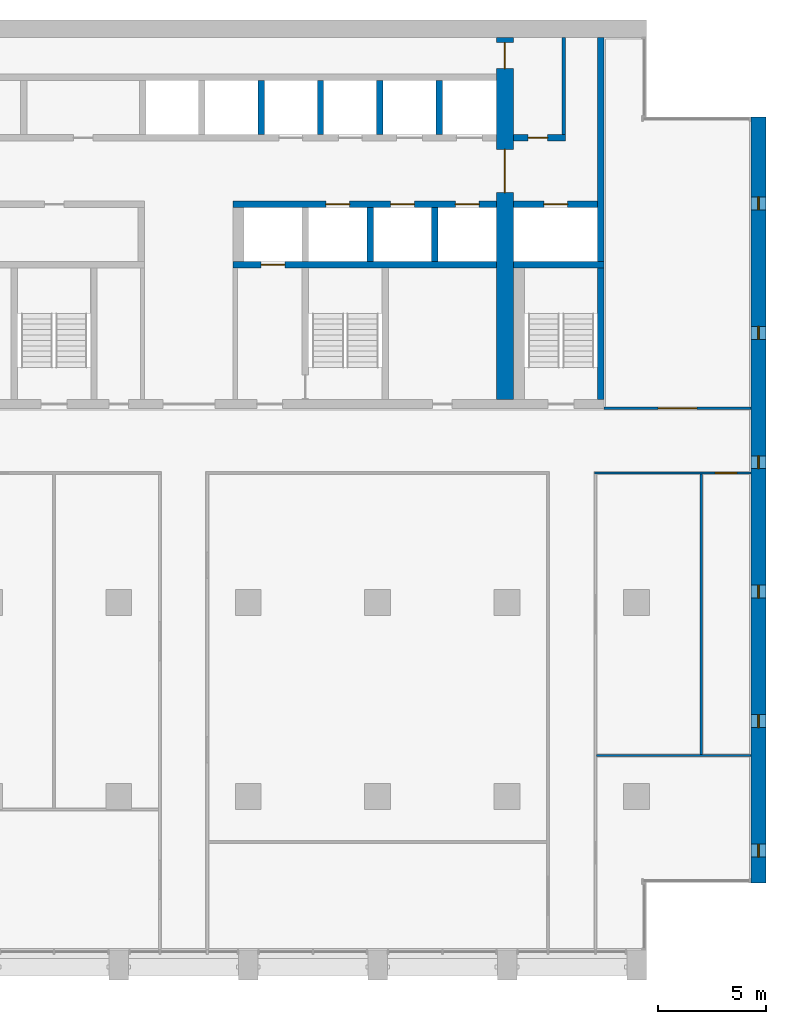
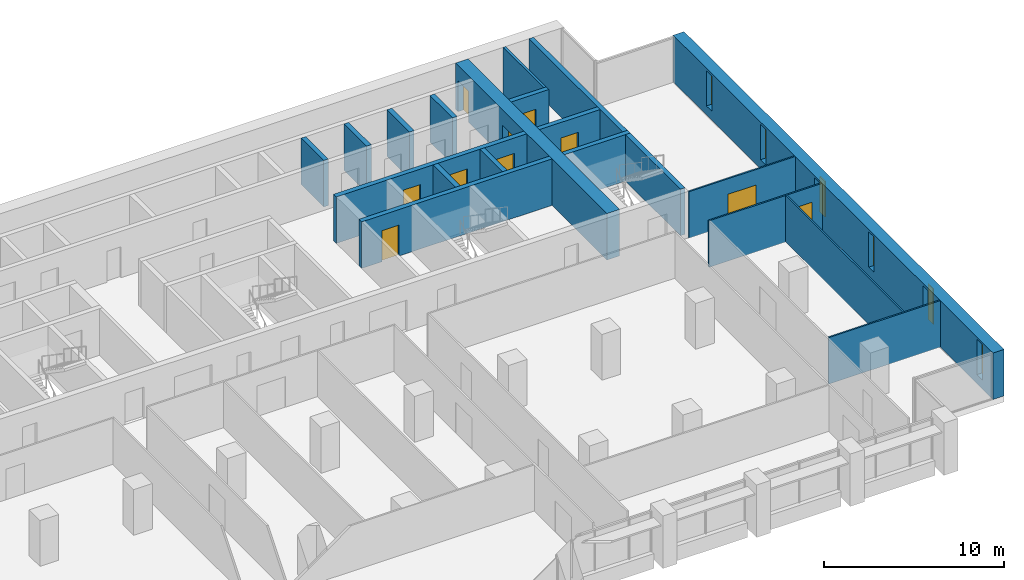
# One storey, part 11 of 15: 20 walls, 10 doors, 6 windows, 16 openings.
"""IFC4 building model written with IfcOpenShell, lengths in metres."""

from ifc_helpers import new_model, si_unit, direction, frame, frame_2d, origin, place, context, subcontext, project, spatial, rectangle, extrude, material, layer, layer_set, type_object, element, fill, save


model = new_model("IFC4")

# Units and contexts
model_context = context("Model", 3, precision=1e-05, world=origin(), true_north=direction((0.0, 1.0)))
body_context = subcontext(model_context, "Body", "Model", "MODEL_VIEW")
ifc_project = project(units=[si_unit("LENGTHUNIT", "METRE"), si_unit("AREAUNIT", "SQUARE_METRE"), si_unit("VOLUMEUNIT", "CUBIC_METRE"), si_unit("PLANEANGLEUNIT", "RADIAN"), si_unit("MASSUNIT", "GRAM", prefix="KILO")], contexts=[model_context])

# Site, building, storey
site_placement = place(None, origin())
site = spatial("IfcSite", under=ifc_project, at=site_placement, CompositionType="ELEMENT")
building_placement = place(site_placement, origin())
building = spatial("IfcBuilding", under=site, at=building_placement, Name="Calvaro Tower", CompositionType="ELEMENT")
storey_placement = place(building_placement, frame((0.0, 0.0, 155.0)))
storey = spatial("IfcBuildingStorey", under=building, at=storey_placement, Name="L39", CompositionType="ELEMENT", Elevation=155.0)

# Wall
ifc_material_1 = material(Name="Blockwork partition", Category="masonry")
ifc_layer_1 = layer(ifc_material_1, 0.14990234375)
ifc_layer_set_1 = layer_set([ifc_layer_1], Name="Blockwork partition")
wall_type_1 = type_object("IfcWallType", Name="Core partition 150 REI 120", PredefinedType="PARTITIONING", material=ifc_layer_set_1)
wall_1_placement = place(storey_placement, frame((62.625, 40.699951171875, 0.0), z_axis=(0.0, 0.0, 1.0), x_axis=(0.0, 1.0, 0.0)))
element("IfcWall", 1, at=wall_1_placement, inside=storey, type_object=wall_type_1, Name="Core partition", PredefinedType="PARTITIONING", context=body_context, shape_type="SweptSolid", body=[
    extrude(rectangle(XDim=4.5, YDim=0.14990234375, at=frame_2d((2.25, 0.0))), origin(), (0.0, 0.0, 1.0), 3.14990234375),
])

# Wall, opening, door
ifc_material_2 = material(Name="Blockwork partition", Category="masonry")
ifc_layer_2 = layer(ifc_material_2, 0.300048828125)
ifc_layer_set_2 = layer_set([ifc_layer_2], Name="Blockwork partition")
wall_type_2 = type_object("IfcWallType", Name="Core partition 300 REI 120", PredefinedType="PARTITIONING", material=ifc_layer_set_2)
wall_2_placement = place(storey_placement, frame((60.300048828125, 40.550048828125, 0.0), z_axis=(0.0, 0.0, 1.0), x_axis=(1.0, 0.0, 0.0)))
wall_2 = element("IfcWall", 2, at=wall_2_placement, inside=storey, type_object=wall_type_2, Name="Core partition", PredefinedType="PARTITIONING", context=body_context, shape_type="SweptSolid", body=[
    extrude(rectangle(XDim=2.39990234375, YDim=0.300048828125, at=frame_2d((1.199951171875, 0.0))), origin(), (0.0, 0.0, 1.0), 3.14990234375),
])
opening_1_placement = place(wall_2_placement, frame((0.675048828125, 0.0, 0.0)))
opening_1 = element("IfcOpeningElement", 3, at=opening_1_placement, cuts=wall_2, Name="Opening RD9C", PredefinedType="OPENING", context=body_context, shape_type="SweptSolid", body=[
    extrude(rectangle(XDim=0.89990234375, YDim=2.10009765625, at=frame_2d((0.449951171875, 1.050048828125))), frame((0.0, 0.159912109375, 0.0), z_axis=(0.0, -1.0, 0.0), x_axis=(1.0, 0.0, 0.0)), (0.0, 0.0, 1.0), 0.320068359375),
])
ifc_material_3 = material(Name="Steel door set", Category="steel")
door_type_1 = type_object("IfcDoorType", Name="Room door 900 FD30", OperationType="SINGLE_SWING_LEFT", PredefinedType="DOOR", material=ifc_material_3)
door_1_placement = place(opening_1_placement, origin())
door_1 = element("IfcDoor", 4, at=door_1_placement, inside=storey, type_object=door_type_1, Name="Room door", OperationType="SINGLE_SWING_LEFT", OverallHeight=2.10009765625, OverallWidth=0.89990234375, PredefinedType="DOOR", context=body_context, shape_type="SweptSolid", body=[
    extrude(rectangle(XDim=0.89990234375, YDim=2.10009765625, at=frame_2d((0.449951171875, 1.050048828125))), frame((0.0, 0.02490234375, 0.0), z_axis=(0.0, -1.0, 0.0), x_axis=(1.0, 0.0, 0.0)), (0.0, 0.0, 1.0), 0.050048828125),
])
fill(opening_1, door_1)

# Walls
ifc_material_4 = material(Name="Concrete C60/75", Category="concrete")
ifc_layer_3 = layer(ifc_material_4, 0.300048828125)
ifc_layer_set_3 = layer_set([ifc_layer_3], Name="Concrete C60/75")
wall_type_3 = type_object("IfcWallType", Name="Core wall C60/75 300", PredefinedType="SHEAR", material=ifc_layer_set_3)
wall_3_placement = place(storey_placement, frame((64.35009765625, 34.800048828125, 0.0), z_axis=(0.0, 0.0, 1.0), x_axis=(0.0, 1.0, 0.0)))
element("IfcWall", 5, at=wall_3_placement, inside=storey, type_object=wall_type_3, Name="Core wall, boundary", PredefinedType="SHEAR", context=body_context, shape_type="SweptSolid", body=[
    extrude(rectangle(XDim=10.39990234375, YDim=0.300048828125, at=frame_2d((5.199951171875, 0.0))), origin(), (0.0, 0.0, 1.0), 3.14990234375),
])
wall_4_placement = place(storey_placement, frame((64.35009765625, 28.39990234375, 0.0), z_axis=(0.0, 0.0, 1.0), x_axis=(0.0, 1.0, 0.0)))
element("IfcWall", 6, at=wall_4_placement, inside=storey, type_object=wall_type_3, Name="Core wall, stair enclosure", PredefinedType="SHEAR", context=body_context, shape_type="SweptSolid", body=[
    extrude(rectangle(XDim=6.10009765625, YDim=0.300048828125, at=frame_2d((3.050048828125, 0.0))), origin(), (0.0, 0.0, 1.0), 3.14990234375),
])

# Wall, opening, door
wall_5_placement = place(storey_placement, frame((47.300048828125, 34.64990234375, 0.0), z_axis=(0.0, 0.0, 1.0), x_axis=(1.0, 0.0, 0.0)))
wall_5 = element("IfcWall", 7, at=wall_5_placement, inside=storey, type_object=wall_type_3, Name="Core wall, lift shaft", PredefinedType="SHEAR", context=body_context, shape_type="SweptSolid", body=[
    extrude(rectangle(XDim=12.199951171875, YDim=0.300048828125, at=frame_2d((6.10009765625, 0.0))), origin(), (0.0, 0.0, 1.0), 3.14990234375),
])
opening_2_placement = place(wall_5_placement, frame((1.300048828125, 0.0, 0.0)))
opening_2 = element("IfcOpeningElement", 8, at=opening_2_placement, cuts=wall_5, Name="Opening FF2", PredefinedType="OPENING", context=body_context, shape_type="SweptSolid", body=[
    extrude(rectangle(XDim=1.10009765625, YDim=2.10009765625, at=frame_2d((0.550048828125, 1.050048828125))), frame((0.0, 0.159912109375, 0.0), z_axis=(0.0, -1.0, 0.0), x_axis=(1.0, 0.0, 0.0)), (0.0, 0.0, 1.0), 0.320068359375),
])
ifc_material_5 = material(Name="Stainless steel", Category="steel")
door_type_2 = type_object("IfcDoorType", Name="Landing door 1100 E 60", OperationType="SLIDING_TO_LEFT", PredefinedType="DOOR", material=ifc_material_5)
door_2_placement = place(opening_2_placement, origin())
door_2 = element("IfcDoor", 9, at=door_2_placement, inside=storey, type_object=door_type_2, Name="Landing door FF2", OperationType="SLIDING_TO_LEFT", OverallHeight=2.10009765625, OverallWidth=1.10009765625, PredefinedType="DOOR", context=body_context, shape_type="SweptSolid", body=[
    extrude(rectangle(XDim=1.10009765625, YDim=2.10009765625, at=frame_2d((0.550048828125, 1.050048828125))), frame((0.0, 0.02490234375, 0.0), z_axis=(0.0, -1.0, 0.0), x_axis=(1.0, 0.0, 0.0)), (0.0, 0.0, 1.0), 0.050048828125),
])
fill(opening_2, door_2)

# Wall
wall_6_placement = place(storey_placement, frame((60.300048828125, 34.64990234375, 0.0), z_axis=(0.0, 0.0, 1.0), x_axis=(1.0, 0.0, 0.0)))
element("IfcWall", 10, at=wall_6_placement, inside=storey, type_object=wall_type_3, Name="Core wall, lift shaft", PredefinedType="SHEAR", context=body_context, shape_type="SweptSolid", body=[
    extrude(rectangle(XDim=4.199951171875, YDim=0.300048828125, at=frame_2d((2.10009765625, 0.0))), origin(), (0.0, 0.0, 1.0), 3.14990234375),
])

# Wall, openings, doors
wall_7_placement = place(storey_placement, frame((47.300048828125, 37.449951171875, 0.0), z_axis=(0.0, 0.0, 1.0), x_axis=(1.0, 0.0, 0.0)))
wall_7 = element("IfcWall", 11, at=wall_7_placement, inside=storey, type_object=wall_type_3, Name="Core wall, lift shaft", PredefinedType="SHEAR", context=body_context, shape_type="SweptSolid", body=[
    extrude(rectangle(XDim=12.199951171875, YDim=0.300048828125, at=frame_2d((6.10009765625, 0.0))), origin(), (0.0, 0.0, 1.0), 3.14990234375),
])
opening_3_placement = place(wall_7_placement, frame((4.300048828125, 0.0, 0.0)))
opening_3 = element("IfcOpeningElement", 12, at=opening_3_placement, cuts=wall_7, Name="Opening MR1", PredefinedType="OPENING", context=body_context, shape_type="SweptSolid", body=[
    extrude(rectangle(XDim=1.10009765625, YDim=2.10009765625, at=frame_2d((0.550048828125, 1.050048828125))), frame((0.0, 0.159912109375, 0.0), z_axis=(0.0, -1.0, 0.0), x_axis=(1.0, 0.0, 0.0)), (0.0, 0.0, 1.0), 0.320068359375),
])
opening_4_placement = place(wall_7_placement, frame((7.300048828125, 0.0, 0.0)))
opening_4 = element("IfcOpeningElement", 13, at=opening_4_placement, cuts=wall_7, Name="Opening MR2", PredefinedType="OPENING", context=body_context, shape_type="SweptSolid", body=[
    extrude(rectangle(XDim=1.10009765625, YDim=2.10009765625, at=frame_2d((0.550048828125, 1.050048828125))), frame((0.0, 0.159912109375, 0.0), z_axis=(0.0, -1.0, 0.0), x_axis=(1.0, 0.0, 0.0)), (0.0, 0.0, 1.0), 0.320068359375),
])
opening_5_placement = place(wall_7_placement, frame((10.300048828125, 0.0, 0.0)))
opening_5 = element("IfcOpeningElement", 14, at=opening_5_placement, cuts=wall_7, Name="Opening MR3", PredefinedType="OPENING", context=body_context, shape_type="SweptSolid", body=[
    extrude(rectangle(XDim=1.10009765625, YDim=2.10009765625, at=frame_2d((0.550048828125, 1.050048828125))), frame((0.0, 0.159912109375, 0.0), z_axis=(0.0, -1.0, 0.0), x_axis=(1.0, 0.0, 0.0)), (0.0, 0.0, 1.0), 0.320068359375),
])
door_3_placement = place(opening_3_placement, origin())
door_3 = element("IfcDoor", 15, at=door_3_placement, inside=storey, type_object=door_type_2, Name="Landing door MR1", OperationType="SLIDING_TO_LEFT", OverallHeight=2.10009765625, OverallWidth=1.10009765625, PredefinedType="DOOR", context=body_context, shape_type="SweptSolid", body=[
    extrude(rectangle(XDim=1.10009765625, YDim=2.10009765625, at=frame_2d((0.550048828125, 1.050048828125))), frame((0.0, 0.02490234375, 0.0), z_axis=(0.0, -1.0, 0.0), x_axis=(1.0, 0.0, 0.0)), (0.0, 0.0, 1.0), 0.050048828125),
])
fill(opening_3, door_3)
door_4_placement = place(opening_4_placement, origin())
door_4 = element("IfcDoor", 16, at=door_4_placement, inside=storey, type_object=door_type_2, Name="Landing door MR2", OperationType="SLIDING_TO_LEFT", OverallHeight=2.10009765625, OverallWidth=1.10009765625, PredefinedType="DOOR", context=body_context, shape_type="SweptSolid", body=[
    extrude(rectangle(XDim=1.10009765625, YDim=2.10009765625, at=frame_2d((0.550048828125, 1.050048828125))), frame((0.0, 0.02490234375, 0.0), z_axis=(0.0, -1.0, 0.0), x_axis=(1.0, 0.0, 0.0)), (0.0, 0.0, 1.0), 0.050048828125),
])
fill(opening_4, door_4)
door_5_placement = place(opening_5_placement, origin())
door_5 = element("IfcDoor", 17, at=door_5_placement, inside=storey, type_object=door_type_2, Name="Landing door MR3", OperationType="SLIDING_TO_LEFT", OverallHeight=2.10009765625, OverallWidth=1.10009765625, PredefinedType="DOOR", context=body_context, shape_type="SweptSolid", body=[
    extrude(rectangle(XDim=1.10009765625, YDim=2.10009765625, at=frame_2d((0.550048828125, 1.050048828125))), frame((0.0, 0.02490234375, 0.0), z_axis=(0.0, -1.0, 0.0), x_axis=(1.0, 0.0, 0.0)), (0.0, 0.0, 1.0), 0.050048828125),
])
fill(opening_5, door_5)

# Wall, opening, door
wall_8_placement = place(storey_placement, frame((60.300048828125, 37.449951171875, 0.0), z_axis=(0.0, 0.0, 1.0), x_axis=(1.0, 0.0, 0.0)))
wall_8 = element("IfcWall", 18, at=wall_8_placement, inside=storey, type_object=wall_type_3, Name="Core wall, lift shaft", PredefinedType="SHEAR", context=body_context, shape_type="SweptSolid", body=[
    extrude(rectangle(XDim=3.89990234375, YDim=0.300048828125, at=frame_2d((1.949951171875, 0.0))), origin(), (0.0, 0.0, 1.0), 3.14990234375),
])
opening_6_placement = place(wall_8_placement, frame((1.39990234375, 0.0, 0.0)))
opening_6 = element("IfcOpeningElement", 19, at=opening_6_placement, cuts=wall_8, Name="Opening FF3", PredefinedType="OPENING", context=body_context, shape_type="SweptSolid", body=[
    extrude(rectangle(XDim=1.10009765625, YDim=2.10009765625, at=frame_2d((0.550048828125, 1.050048828125))), frame((0.0, 0.159912109375, 0.0), z_axis=(0.0, -1.0, 0.0), x_axis=(1.0, 0.0, 0.0)), (0.0, 0.0, 1.0), 0.320068359375),
])
door_6_placement = place(opening_6_placement, origin())
door_6 = element("IfcDoor", 20, at=door_6_placement, inside=storey, type_object=door_type_2, Name="Landing door FF3", OperationType="SLIDING_TO_LEFT", OverallHeight=2.10009765625, OverallWidth=1.10009765625, PredefinedType="DOOR", context=body_context, shape_type="SweptSolid", body=[
    extrude(rectangle(XDim=1.10009765625, YDim=2.10009765625, at=frame_2d((0.550048828125, 1.050048828125))), frame((0.0, 0.02490234375, 0.0), z_axis=(0.0, -1.0, 0.0), x_axis=(1.0, 0.0, 0.0)), (0.0, 0.0, 1.0), 0.050048828125),
])
fill(opening_6, door_6)

# Walls
for number, where, z_axis, x_axis, name in (
    (21, (53.64990234375, 34.800048828125, 0.0), (0.0, 0.0, 1.0), (0.0, 1.0, 0.0), "Core wall, lift shaft"),
    (22, (56.64990234375, 34.800048828125, 0.0), (0.0, 0.0, 1.0), (0.0, 1.0, 0.0), "Core wall, lift shaft"),
    (23, (48.60009765625, 40.699951171875, 0.0), (0.0, 0.0, 1.0), (0.0, 1.0, 0.0), "Core wall, lift shaft"),
    (24, (51.35009765625, 40.699951171875, 0.0), (0.0, 0.0, 1.0), (0.0, 1.0, 0.0), "Core wall, lift shaft"),
    (25, (54.10009765625, 40.699951171875, 0.0), (0.0, 0.0, 1.0), (0.0, 1.0, 0.0), "Core wall, lift shaft"),
    (26, (56.85009765625, 40.699951171875, 0.0), (0.0, 0.0, 1.0), (0.0, 1.0, 0.0), "Core wall, lift shaft"),
):
    element("IfcWall", number, at=place(storey_placement, frame(where, z_axis=z_axis, x_axis=x_axis)), inside=storey, type_object=wall_type_3, Name=name, PredefinedType="SHEAR", context=body_context, shape_type="SweptSolid", body=[
        extrude(rectangle(XDim=2.5, YDim=0.300048828125, at=frame_2d((1.25, 0.0))), origin(), (0.0, 0.0, 1.0), 3.14990234375),
    ])

# Wall, openings, doors
ifc_material_6 = material(Name="Concrete C60/75", Category="concrete")
ifc_layer_4 = layer(ifc_material_6, 0.800048828125)
ifc_layer_set_4 = layer_set([ifc_layer_4], Name="Concrete C60/75")
wall_type_4 = type_object("IfcWallType", Name="Core wall C60/75 800", PredefinedType="SHEAR", material=ifc_layer_set_4)
wall_9_placement = place(storey_placement, frame((59.89990234375, 28.39990234375, 0.0), z_axis=(0.0, 0.0, 1.0), x_axis=(0.0, 1.0, 0.0)))
wall_9 = element("IfcWall", 27, at=wall_9_placement, inside=storey, type_object=wall_type_4, Name="Core wall, cross shear wall", PredefinedType="SHEAR", context=body_context, shape_type="SweptSolid", body=[
    extrude(rectangle(XDim=16.800048828125, YDim=0.800048828125, at=frame_2d((8.39990234375, 0.0))), origin(), (0.0, 0.0, 1.0), 3.14990234375),
])
opening_7_placement = place(wall_9_placement, frame((9.60009765625, 0.0, 0.0)))
opening_7 = element("IfcOpeningElement", 28, at=opening_7_placement, cuts=wall_9, Name="Opening DD20D", PredefinedType="OPENING", context=body_context, shape_type="SweptSolid", body=[
    extrude(rectangle(XDim=2.0, YDim=2.10009765625, at=frame_2d((1.0, 1.050048828125))), frame((0.0, 0.409912109375, 0.0), z_axis=(0.0, -1.0, 0.0), x_axis=(1.0, 0.0, 0.0)), (0.0, 0.0, 1.0), 0.820068359375),
])
opening_8_placement = place(wall_9_placement, frame((15.35009765625, 0.0, 0.0)))
opening_8 = element("IfcOpeningElement", 29, at=opening_8_placement, cuts=wall_9, Name="Opening FD12C", PredefinedType="OPENING", context=body_context, shape_type="SweptSolid", body=[
    extrude(rectangle(XDim=1.199951171875, YDim=2.10009765625, at=frame_2d((0.60009765625, 1.050048828125))), frame((0.0, 0.409912109375, 0.0), z_axis=(0.0, -1.0, 0.0), x_axis=(1.0, 0.0, 0.0)), (0.0, 0.0, 1.0), 0.820068359375),
])
ifc_material_7 = material(Name="Steel door set", Category="steel")
door_type_3 = type_object("IfcDoorType", Name="Fire door 1200 FD30", OperationType="SINGLE_SWING_LEFT", PredefinedType="DOOR", material=ifc_material_7)
door_7_placement = place(opening_8_placement, origin())
door_7 = element("IfcDoor", 30, at=door_7_placement, inside=storey, type_object=door_type_3, Name="Fire door", OperationType="SINGLE_SWING_LEFT", OverallHeight=2.10009765625, OverallWidth=1.199951171875, PredefinedType="DOOR", context=body_context, shape_type="SweptSolid", body=[
    extrude(rectangle(XDim=1.199951171875, YDim=2.10009765625, at=frame_2d((0.60009765625, 1.050048828125))), frame((0.0, 0.02490234375, 0.0), z_axis=(0.0, -1.0, 0.0), x_axis=(1.0, 0.0, 0.0)), (0.0, 0.0, 1.0), 0.050048828125),
])
fill(opening_8, door_7)
ifc_material_8 = material(Name="Steel door set", Category="steel")
door_type_4 = type_object("IfcDoorType", Name="Lobby double door 2000 FD30S", OperationType="DOUBLE_DOOR_SINGLE_SWING", PredefinedType="DOOR", material=ifc_material_8)
door_8_placement = place(opening_7_placement, origin())
door_8 = element("IfcDoor", 31, at=door_8_placement, inside=storey, type_object=door_type_4, Name="Lobby double door", OperationType="DOUBLE_DOOR_SINGLE_SWING", OverallHeight=2.10009765625, OverallWidth=2.0, PredefinedType="DOOR", context=body_context, shape_type="SweptSolid", body=[
    extrude(rectangle(XDim=2.0, YDim=2.10009765625, at=frame_2d((1.0, 1.050048828125))), frame((0.0, 0.02490234375, 0.0), z_axis=(0.0, -1.0, 0.0), x_axis=(1.0, 0.0, 0.0)), (0.0, 0.0, 1.0), 0.050048828125),
])
fill(opening_7, door_8)

# Wall, openings, windows
ifc_material_9 = material(Name="Concrete C60/75", Category="concrete")
ifc_layer_5 = layer(ifc_material_9, 0.699951171875)
ifc_layer_set_5 = layer_set([ifc_layer_5], Name="Concrete C60/75")
wall_type_5 = type_object("IfcWallType", Name="End wall 700 C60/75", PredefinedType="SHEAR", material=ifc_layer_set_5)
wall_10_placement = place(storey_placement, frame((71.64990234375, 6.0, 0.0), z_axis=(0.0, 0.0, 1.0), x_axis=(0.0, 1.0, 0.0)))
wall_10 = element("IfcWall", 32, at=wall_10_placement, inside=storey, type_object=wall_type_5, Name="End shear wall", PredefinedType="SHEAR", context=body_context, shape_type="SweptSolid", body=[
    extrude(rectangle(XDim=35.5, YDim=0.699951171875, at=frame_2d((17.75, 0.0))), origin(), (0.0, 0.0, 1.0), 3.14990234375),
])
opening_9_placement = place(wall_10_placement, frame((1.199951171875, 0.0, 0.60009765625)))
opening_9 = element("IfcOpeningElement", 33, at=opening_9_placement, cuts=wall_10, Name="Opening WE01", PredefinedType="OPENING", context=body_context, shape_type="SweptSolid", body=[
    extrude(rectangle(XDim=0.60009765625, YDim=2.39990234375, at=frame_2d((0.300048828125, 1.199951171875))), frame((0.0, 0.35986328125, 0.0), z_axis=(0.0, -1.0, 0.0), x_axis=(1.0, 0.0, 0.0)), (0.0, 0.0, 1.0), 0.719970703125),
])
opening_10_placement = place(wall_10_placement, frame((7.199951171875, 0.0, 0.60009765625)))
opening_10 = element("IfcOpeningElement", 34, at=opening_10_placement, cuts=wall_10, Name="Opening WE02", PredefinedType="OPENING", context=body_context, shape_type="SweptSolid", body=[
    extrude(rectangle(XDim=0.60009765625, YDim=2.39990234375, at=frame_2d((0.300048828125, 1.199951171875))), frame((0.0, 0.35986328125, 0.0), z_axis=(0.0, -1.0, 0.0), x_axis=(1.0, 0.0, 0.0)), (0.0, 0.0, 1.0), 0.719970703125),
])
opening_11_placement = place(wall_10_placement, frame((13.199951171875, 0.0, 0.60009765625)))
opening_11 = element("IfcOpeningElement", 35, at=opening_11_placement, cuts=wall_10, Name="Opening WE03", PredefinedType="OPENING", context=body_context, shape_type="SweptSolid", body=[
    extrude(rectangle(XDim=0.60009765625, YDim=2.39990234375, at=frame_2d((0.300048828125, 1.199951171875))), frame((0.0, 0.35986328125, 0.0), z_axis=(0.0, -1.0, 0.0), x_axis=(1.0, 0.0, 0.0)), (0.0, 0.0, 1.0), 0.719970703125),
])
opening_12_placement = place(wall_10_placement, frame((19.199951171875, 0.0, 0.60009765625)))
opening_12 = element("IfcOpeningElement", 36, at=opening_12_placement, cuts=wall_10, Name="Opening WE04", PredefinedType="OPENING", context=body_context, shape_type="SweptSolid", body=[
    extrude(rectangle(XDim=0.60009765625, YDim=2.39990234375, at=frame_2d((0.300048828125, 1.199951171875))), frame((0.0, 0.35986328125, 0.0), z_axis=(0.0, -1.0, 0.0), x_axis=(1.0, 0.0, 0.0)), (0.0, 0.0, 1.0), 0.719970703125),
])
opening_13_placement = place(wall_10_placement, frame((25.199951171875, 0.0, 0.60009765625)))
opening_13 = element("IfcOpeningElement", 37, at=opening_13_placement, cuts=wall_10, Name="Opening WE05", PredefinedType="OPENING", context=body_context, shape_type="SweptSolid", body=[
    extrude(rectangle(XDim=0.60009765625, YDim=2.39990234375, at=frame_2d((0.300048828125, 1.199951171875))), frame((0.0, 0.35986328125, 0.0), z_axis=(0.0, -1.0, 0.0), x_axis=(1.0, 0.0, 0.0)), (0.0, 0.0, 1.0), 0.719970703125),
])
opening_14_placement = place(wall_10_placement, frame((31.199951171875, 0.0, 0.60009765625)))
opening_14 = element("IfcOpeningElement", 38, at=opening_14_placement, cuts=wall_10, Name="Opening WE06", PredefinedType="OPENING", context=body_context, shape_type="SweptSolid", body=[
    extrude(rectangle(XDim=0.60009765625, YDim=2.39990234375, at=frame_2d((0.300048828125, 1.199951171875))), frame((0.0, 0.35986328125, 0.0), z_axis=(0.0, -1.0, 0.0), x_axis=(1.0, 0.0, 0.0)), (0.0, 0.0, 1.0), 0.719970703125),
])
ifc_material_10 = material(Name="Glass", Category="glass")
window_type = type_object("IfcWindowType", Name="Slit window 600 x 2400", PartitioningType="SINGLE_PANEL", PredefinedType="WINDOW", material=ifc_material_10)
window_1_placement = place(opening_9_placement, origin())
window_1 = element("IfcWindow", 39, at=window_1_placement, inside=storey, type_object=window_type, Name="Window WE01", OverallHeight=2.39990234375, OverallWidth=0.60009765625, PartitioningType="SINGLE_PANEL", PredefinedType="WINDOW", context=body_context, shape_type="SweptSolid", body=[
    extrude(rectangle(XDim=0.60009765625, YDim=2.39990234375, at=frame_2d((0.300048828125, 1.199951171875))), frame((0.0, 0.030029296875, 0.0), z_axis=(0.0, -1.0, 0.0), x_axis=(1.0, 0.0, 0.0)), (0.0, 0.0, 1.0), 0.06005859375),
])
fill(opening_9, window_1)
window_2_placement = place(opening_10_placement, origin())
window_2 = element("IfcWindow", 40, at=window_2_placement, inside=storey, type_object=window_type, Name="Window WE02", OverallHeight=2.39990234375, OverallWidth=0.60009765625, PartitioningType="SINGLE_PANEL", PredefinedType="WINDOW", context=body_context, shape_type="SweptSolid", body=[
    extrude(rectangle(XDim=0.60009765625, YDim=2.39990234375, at=frame_2d((0.300048828125, 1.199951171875))), frame((0.0, 0.030029296875, 0.0), z_axis=(0.0, -1.0, 0.0), x_axis=(1.0, 0.0, 0.0)), (0.0, 0.0, 1.0), 0.06005859375),
])
fill(opening_10, window_2)
window_3_placement = place(opening_11_placement, origin())
window_3 = element("IfcWindow", 41, at=window_3_placement, inside=storey, type_object=window_type, Name="Window WE03", OverallHeight=2.39990234375, OverallWidth=0.60009765625, PartitioningType="SINGLE_PANEL", PredefinedType="WINDOW", context=body_context, shape_type="SweptSolid", body=[
    extrude(rectangle(XDim=0.60009765625, YDim=2.39990234375, at=frame_2d((0.300048828125, 1.199951171875))), frame((0.0, 0.030029296875, 0.0), z_axis=(0.0, -1.0, 0.0), x_axis=(1.0, 0.0, 0.0)), (0.0, 0.0, 1.0), 0.06005859375),
])
fill(opening_11, window_3)
window_4_placement = place(opening_12_placement, origin())
window_4 = element("IfcWindow", 42, at=window_4_placement, inside=storey, type_object=window_type, Name="Window WE04", OverallHeight=2.39990234375, OverallWidth=0.60009765625, PartitioningType="SINGLE_PANEL", PredefinedType="WINDOW", context=body_context, shape_type="SweptSolid", body=[
    extrude(rectangle(XDim=0.60009765625, YDim=2.39990234375, at=frame_2d((0.300048828125, 1.199951171875))), frame((0.0, 0.030029296875, 0.0), z_axis=(0.0, -1.0, 0.0), x_axis=(1.0, 0.0, 0.0)), (0.0, 0.0, 1.0), 0.06005859375),
])
fill(opening_12, window_4)
window_5_placement = place(opening_13_placement, origin())
window_5 = element("IfcWindow", 43, at=window_5_placement, inside=storey, type_object=window_type, Name="Window WE05", OverallHeight=2.39990234375, OverallWidth=0.60009765625, PartitioningType="SINGLE_PANEL", PredefinedType="WINDOW", context=body_context, shape_type="SweptSolid", body=[
    extrude(rectangle(XDim=0.60009765625, YDim=2.39990234375, at=frame_2d((0.300048828125, 1.199951171875))), frame((0.0, 0.030029296875, 0.0), z_axis=(0.0, -1.0, 0.0), x_axis=(1.0, 0.0, 0.0)), (0.0, 0.0, 1.0), 0.06005859375),
])
fill(opening_13, window_5)
window_6_placement = place(opening_14_placement, origin())
window_6 = element("IfcWindow", 44, at=window_6_placement, inside=storey, type_object=window_type, Name="Window WE06", OverallHeight=2.39990234375, OverallWidth=0.60009765625, PartitioningType="SINGLE_PANEL", PredefinedType="WINDOW", context=body_context, shape_type="SweptSolid", body=[
    extrude(rectangle(XDim=0.60009765625, YDim=2.39990234375, at=frame_2d((0.300048828125, 1.199951171875))), frame((0.0, 0.030029296875, 0.0), z_axis=(0.0, -1.0, 0.0), x_axis=(1.0, 0.0, 0.0)), (0.0, 0.0, 1.0), 0.06005859375),
])
fill(opening_14, window_6)

# Wall
ifc_material_11 = material(Name="Plasterboard on steel studs", Category="steel")
ifc_layer_6 = layer(ifc_material_11, 0.10009765625)
ifc_layer_set_6 = layer_set([ifc_layer_6], Name="Plasterboard on steel studs")
wall_type_6 = type_object("IfcWallType", Name="Partition 100", PredefinedType="PARTITIONING", material=ifc_layer_set_6)
wall_11_placement = place(storey_placement, frame((64.14990234375, 11.89990234375, 0.0), z_axis=(0.0, 0.0, 1.0), x_axis=(1.0, 0.0, 0.0)))
element("IfcWall", 45, at=wall_11_placement, inside=storey, type_object=wall_type_6, Name="Partition T23.W003", PredefinedType="PARTITIONING", context=body_context, shape_type="SweptSolid", body=[
    extrude(rectangle(XDim=7.150146484375, YDim=0.10009765625, at=frame_2d((3.5751953125, 0.0))), origin(), (0.0, 0.0, 1.0), 3.14990234375),
])

# Wall, opening, door
wall_12_placement = place(storey_placement, frame((64.050048828125, 25.0, 0.0), z_axis=(0.0, 0.0, 1.0), x_axis=(1.0, 0.0, 0.0)))
wall_12 = element("IfcWall", 46, at=wall_12_placement, inside=storey, type_object=wall_type_6, Name="Partition T23.W007", PredefinedType="PARTITIONING", context=body_context, shape_type="SweptSolid", body=[
    extrude(rectangle(XDim=7.25, YDim=0.10009765625, at=frame_2d((3.625, 0.0))), origin(), (0.0, 0.0, 1.0), 3.14990234375),
])
opening_15_placement = place(wall_12_placement, frame((5.60009765625, 0.0, 0.0)))
opening_15 = element("IfcOpeningElement", 47, at=opening_15_placement, cuts=wall_12, Name="Opening T23.012", PredefinedType="OPENING", context=body_context, shape_type="SweptSolid", body=[
    extrude(rectangle(XDim=1.0, YDim=2.10009765625, at=frame_2d((0.5, 1.050048828125))), frame((0.0, 0.06005859375, 0.0), z_axis=(0.0, -1.0, 0.0), x_axis=(1.0, 0.0, 0.0)), (0.0, 0.0, 1.0), 0.1201171875),
])
ifc_material_12 = material(Name="Timber", Category="wood")
door_type_5 = type_object("IfcDoorType", Name="Internal single door 1000 x 2100", OperationType="SINGLE_SWING_LEFT", PredefinedType="DOOR", material=ifc_material_12)
door_9_placement = place(opening_15_placement, origin())
door_9 = element("IfcDoor", 48, at=door_9_placement, inside=storey, type_object=door_type_5, Name="Door T23.012", OperationType="SINGLE_SWING_RIGHT", OverallHeight=2.10009765625, OverallWidth=1.0, PredefinedType="DOOR", context=body_context, shape_type="SweptSolid", body=[
    extrude(rectangle(XDim=1.0, YDim=2.10009765625, at=frame_2d((0.5, 1.050048828125))), frame((0.0, 0.02490234375, 0.0), z_axis=(0.0, -1.0, 0.0), x_axis=(1.0, 0.0, 0.0)), (0.0, 0.0, 1.0), 0.050048828125),
])
fill(opening_15, door_9)

wall_13_placement = place(storey_placement, frame((64.5, 28.0, 0.0), z_axis=(0.0, 0.0, 1.0), x_axis=(1.0, 0.0, 0.0)))
wall_13 = element("IfcWall", 49, at=wall_13_placement, inside=storey, type_object=wall_type_6, Name="Partition T23.W009", PredefinedType="PARTITIONING", context=body_context, shape_type="SweptSolid", body=[
    extrude(rectangle(XDim=6.800048828125, YDim=0.10009765625, at=frame_2d((3.39990234375, 0.0))), origin(), (0.0, 0.0, 1.0), 3.14990234375),
])
opening_16_placement = place(wall_13_placement, frame((2.5, 0.0, 0.0)))
opening_16 = element("IfcOpeningElement", 50, at=opening_16_placement, cuts=wall_13, Name="Opening T23.014", PredefinedType="OPENING", context=body_context, shape_type="SweptSolid", body=[
    extrude(rectangle(XDim=1.800048828125, YDim=2.10009765625, at=frame_2d((0.89990234375, 1.050048828125))), frame((0.0, 0.06005859375, 0.0), z_axis=(0.0, -1.0, 0.0), x_axis=(1.0, 0.0, 0.0)), (0.0, 0.0, 1.0), 0.1201171875),
])
ifc_material_13 = material(Name="Timber", Category="wood")
door_type_6 = type_object("IfcDoorType", Name="Internal double door 1800 x 2100", OperationType="DOUBLE_DOOR_SINGLE_SWING", PredefinedType="DOOR", material=ifc_material_13)
door_10_placement = place(opening_16_placement, origin())
door_10 = element("IfcDoor", 51, at=door_10_placement, inside=storey, type_object=door_type_6, Name="Door T23.014", OperationType="DOUBLE_DOOR_SINGLE_SWING", OverallHeight=2.10009765625, OverallWidth=1.800048828125, PredefinedType="DOOR", context=body_context, shape_type="SweptSolid", body=[
    extrude(rectangle(XDim=1.800048828125, YDim=2.10009765625, at=frame_2d((0.89990234375, 1.050048828125))), frame((0.0, 0.02490234375, 0.0), z_axis=(0.0, -1.0, 0.0), x_axis=(1.0, 0.0, 0.0)), (0.0, 0.0, 1.0), 0.050048828125),
])
fill(opening_16, door_10)

# Wall
wall_14_placement = place(storey_placement, frame((69.0, 11.949951171875, 0.0), z_axis=(0.0, 0.0, 1.0), x_axis=(0.0, 1.0, 0.0)))
element("IfcWall", 52, at=wall_14_placement, inside=storey, type_object=wall_type_6, Name="Partition T23.W018", PredefinedType="PARTITIONING", context=body_context, shape_type="SweptSolid", body=[
    extrude(rectangle(XDim=13.0, YDim=0.10009765625, at=frame_2d((6.5, 0.0))), origin(), (0.0, 0.0, 1.0), 3.14990234375),
])

save(model, "model.ifc")
